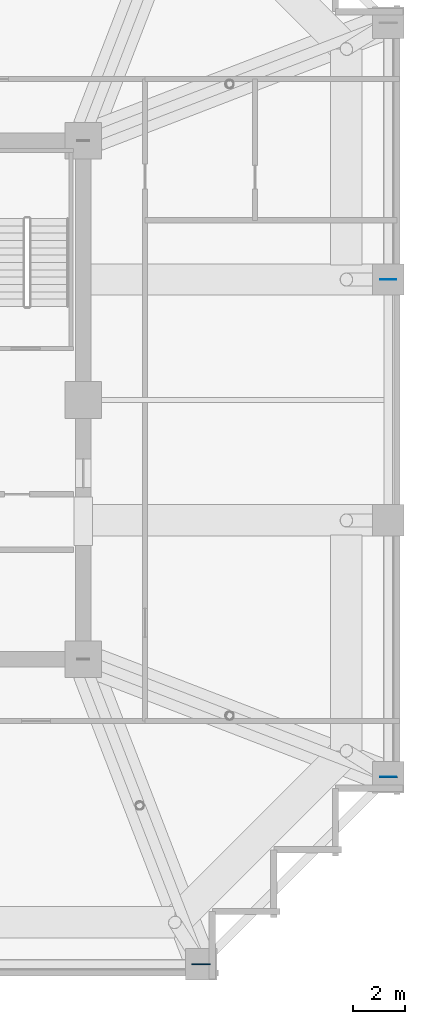
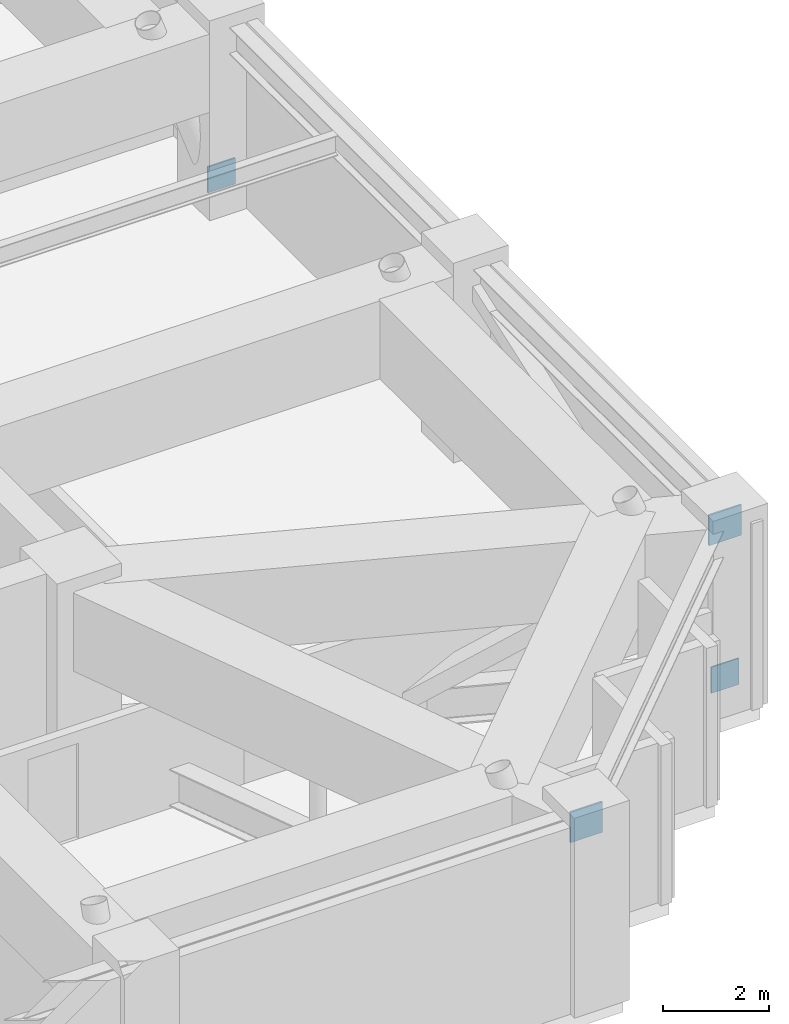
# One storey, part 10 of 15: 4 plates.
"""IFC4 building model written with IfcOpenShell, lengths in metres."""

from ifc_helpers import new_model, si_unit, direction, frame, origin, origin_2d, place, context, subcontext, project, spatial, rectangle, extrude, material, layer, layer_set, type_object, element, save


model = new_model("IFC4")

# Units and contexts
model_context = context("Model", 3, precision=1e-05, world=origin(), true_north=direction((0.0, 1.0)))
body_context = subcontext(model_context, "Body", "Model", "MODEL_VIEW")
ifc_project = project(units=[si_unit("LENGTHUNIT", "METRE"), si_unit("AREAUNIT", "SQUARE_METRE"), si_unit("VOLUMEUNIT", "CUBIC_METRE"), si_unit("PLANEANGLEUNIT", "RADIAN"), si_unit("MASSUNIT", "GRAM", prefix="KILO")], contexts=[model_context])

# Site, building, storey
site_placement = place(None, origin())
site = spatial("IfcSite", under=ifc_project, at=site_placement, CompositionType="ELEMENT")
building_placement = place(site_placement, origin())
building = spatial("IfcBuilding", under=site, at=building_placement, Name="Kolvaren Belvedere", CompositionType="ELEMENT")
storey_placement = place(building_placement, frame((0.0, 0.0, 63.39990234375)))
storey = spatial("IfcBuildingStorey", under=building, at=storey_placement, Name="L18", CompositionType="ELEMENT", Elevation=63.39990234375)

# Plates
ifc_material_1 = material(Name="Structural steel ASTM A572 Grade 50", Category="steel")
ifc_layer_1 = layer(ifc_material_1, 0.031982421875)
ifc_layer_set_1 = layer_set([ifc_layer_1], Name="Structural steel ASTM A572 Grade 50")
plate_type_1 = type_object("IfcPlateType", Name="PL-GUSSET-32", PredefinedType="USERDEFINED", material=ifc_layer_set_1)
for number, where, z_axis, x_axis, name in (
    (1, (21.550048828125, -14.39990234375, 0.179931640625), (0.0, 0.0, 1.0), (1.0, 0.0, 0.0), "L18 Belt Truss Node Gusset BN-7"),
    (2, (21.550048828125, 4.60009765625, 0.179931640625), (0.0, 0.0, 1.0), (1.0, 0.0, 0.0), "L18 Belt Truss Node Gusset BN-8"),
):
    element("IfcPlate", number, at=place(storey_placement, frame(where, z_axis=z_axis, x_axis=x_axis)), inside=storey, type_object=plate_type_1, Name=name, ObjectType="GUSSET PLATE", PredefinedType="USERDEFINED", context=body_context, shape_type="SweptSolid", body=[
        extrude(rectangle(XDim=0.60009765625, YDim=0.031982421875, at=origin_2d()), origin(), (0.0, 0.0, 1.0), 0.60009765625),
    ])
ifc_material_2 = material(Name="Structural steel ASTM A572 Grade 50", Category="steel")
ifc_layer_2 = layer(ifc_material_2, 0.0400390625)
ifc_layer_set_2 = layer_set([ifc_layer_2], Name="Structural steel ASTM A572 Grade 50")
plate_type_2 = type_object("IfcPlateType", Name="PL-GUSSET-40", PredefinedType="USERDEFINED", material=ifc_layer_set_2)
for number, where, z_axis, x_axis, name in (
    (3, (14.39990234375, -21.550048828125, 3.60009765625), (0.0, 0.0, 1.0), (1.0, 0.0, 0.0), "L18 Outrigger Truss Node Gusset ON-3"),
    (4, (21.550048828125, -14.39990234375, 3.60009765625), (0.0, 0.0, 1.0), (1.0, 0.0, 0.0), "L18 Outrigger Truss Node Gusset ON-4"),
):
    element("IfcPlate", number, at=place(storey_placement, frame(where, z_axis=z_axis, x_axis=x_axis)), inside=storey, type_object=plate_type_2, Name=name, ObjectType="GUSSET PLATE", PredefinedType="USERDEFINED", context=body_context, shape_type="SweptSolid", body=[
        extrude(rectangle(XDim=0.699951171875, YDim=0.0400390625, at=origin_2d()), origin(), (0.0, 0.0, 1.0), 0.699951171875),
    ])

save(model, "model.ifc")
